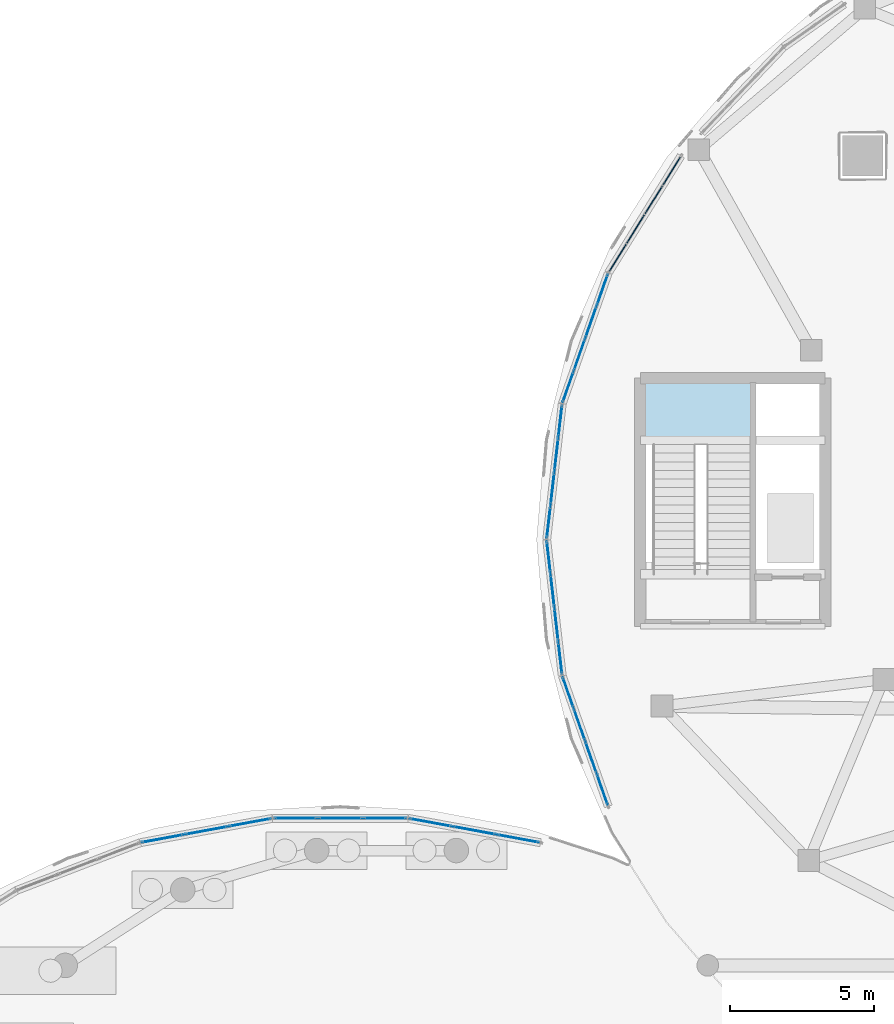
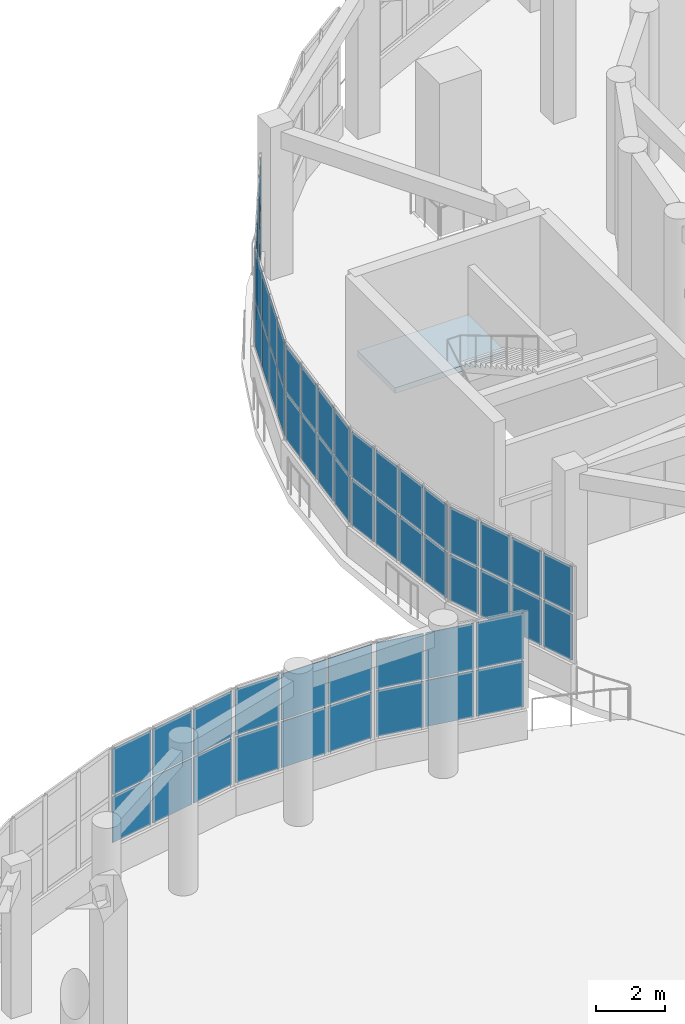
# One storey, part 65 of 96: 58 plates, 1 slab, 9 elements without a shape of their own.
"""IFC4 building model written with IfcOpenShell, lengths in metres."""

from ifc_helpers import new_model, si_unit, direction, frame, origin, origin_2d, place, context, subcontext, project, spatial, polyline, rectangle, outline, extrude, material, layer, layer_set, type_object, element, aggregate, save


model = new_model("IFC4")

# Units and contexts
model_context = context("Model", 3, precision=1e-05, world=origin(), true_north=direction((0.0, 1.0)))
body_context = subcontext(model_context, "Body", "Model", "MODEL_VIEW")
ifc_project = project(units=[si_unit("LENGTHUNIT", "METRE"), si_unit("AREAUNIT", "SQUARE_METRE"), si_unit("VOLUMEUNIT", "CUBIC_METRE"), si_unit("PLANEANGLEUNIT", "RADIAN"), si_unit("MASSUNIT", "GRAM", prefix="KILO")], contexts=[model_context])

# Site, building, storey
site_placement = place(None, origin())
site = spatial("IfcSite", under=ifc_project, at=site_placement, CompositionType="ELEMENT")
building_placement = place(site_placement, origin())
building = spatial("IfcBuilding", under=site, at=building_placement, Name="Pelvatis Terrace Science Centre", CompositionType="ELEMENT")
storey_placement = place(building_placement, origin())
storey = spatial("IfcBuildingStorey", under=building, at=storey_placement, Name="L00", CompositionType="ELEMENT", Elevation=0.0)

# Curtain wall, plates
ifc_material_1 = material(Name="Bronze-anodised aluminium and laminated glass", Category="aluminium")
ifc_layer_1 = layer(ifc_material_1, 0.199951171875)
ifc_layer_set_1 = layer_set([ifc_layer_1], Name="Bronze-anodised aluminium and laminated glass")
curtain_wall_type = type_object("IfcCurtainWallType", Name="CW-RIBBON-B", PredefinedType="NOTDEFINED", material=ifc_layer_set_1)
curtain_wall_1_placement = place(storey_placement, origin())
curtain_wall_1 = element("IfcCurtainWall", 1, at=curtain_wall_1_placement, inside=storey, type_object=curtain_wall_type, Name="Ribbon curtain wall CW-045 (L00)", PredefinedType="NOTDEFINED")
ifc_material_2 = material(Name="Low-e laminated solar-control double glazing", Category="glass")
ifc_layer_2 = layer(ifc_material_2, 0.031982421875)
ifc_layer_set_2 = layer_set([ifc_layer_2], Name="Low-e laminated solar-control double glazing")
plate_type = type_object("IfcPlateType", Name="CWP-IGU-32", PredefinedType="CURTAIN_PANEL", material=ifc_layer_set_2)
plate_1_placement = place(storey_placement, frame((82.556396484375, 71.841796875, 1.0849609375), z_axis=(0.0, 0.0, 1.0), x_axis=(-0.983459114146, 0.181130259216, 0.0)))
plate_1 = element("IfcPlate", 2, at=plate_1_placement, type_object=plate_type, Name="CW-045 panel 1.1", PredefinedType="CURTAIN_PANEL", context=body_context, shape_type="SweptSolid", body=[
    extrude(rectangle(XDim=1.45849609375, YDim=0.031982421875, at=origin_2d()), origin(), (0.0, 0.0, 1.0), 1.62255859375),
])
plate_2_placement = place(storey_placement, frame((82.556396484375, 71.841796875, 2.7724609375), z_axis=(0.0, 0.0, 1.0), x_axis=(-0.983459114146, 0.181130259216, 0.0)))
plate_2 = element("IfcPlate", 3, at=plate_2_placement, type_object=plate_type, Name="CW-045 panel 1.2", PredefinedType="CURTAIN_PANEL", context=body_context, shape_type="SweptSolid", body=[
    extrude(rectangle(XDim=1.45849609375, YDim=0.031982421875, at=origin_2d()), origin(), (0.0, 0.0, 1.0), 1.62255859375),
])
plate_3_placement = place(storey_placement, frame((81.0419921875, 72.120849609375, 1.0849609375), z_axis=(0.0, 0.0, 1.0), x_axis=(-0.983459114146, 0.181130259216, 0.0)))
plate_3 = element("IfcPlate", 4, at=plate_3_placement, type_object=plate_type, Name="CW-045 panel 2.1", PredefinedType="CURTAIN_PANEL", context=body_context, shape_type="SweptSolid", body=[
    extrude(rectangle(XDim=1.490966796875, YDim=0.031982421875, at=origin_2d()), origin(), (0.0, 0.0, 1.0), 1.62255859375),
])
plate_4_placement = place(storey_placement, frame((81.0419921875, 72.120849609375, 2.7724609375), z_axis=(0.0, 0.0, 1.0), x_axis=(-0.983459114146, 0.181130259216, 0.0)))
plate_4 = element("IfcPlate", 5, at=plate_4_placement, type_object=plate_type, Name="CW-045 panel 2.2", PredefinedType="CURTAIN_PANEL", context=body_context, shape_type="SweptSolid", body=[
    extrude(rectangle(XDim=1.490966796875, YDim=0.031982421875, at=origin_2d()), origin(), (0.0, 0.0, 1.0), 1.62255859375),
])
plate_5_placement = place(storey_placement, frame((79.52783203125, 72.399658203125, 1.0849609375), z_axis=(0.0, 0.0, 1.0), x_axis=(-0.983459114146, 0.181130259216, 0.0)))
plate_5 = element("IfcPlate", 6, at=plate_5_placement, type_object=plate_type, Name="CW-045 panel 3.1", PredefinedType="CURTAIN_PANEL", context=body_context, shape_type="SweptSolid", body=[
    extrude(rectangle(XDim=1.45849609375, YDim=0.031982421875, at=origin_2d()), origin(), (0.0, 0.0, 1.0), 1.62255859375),
])
plate_6_placement = place(storey_placement, frame((79.52783203125, 72.399658203125, 2.7724609375), z_axis=(0.0, 0.0, 1.0), x_axis=(-0.983459114146, 0.181130259216, 0.0)))
plate_6 = element("IfcPlate", 7, at=plate_6_placement, type_object=plate_type, Name="CW-045 panel 3.2", PredefinedType="CURTAIN_PANEL", context=body_context, shape_type="SweptSolid", body=[
    extrude(rectangle(XDim=1.45849609375, YDim=0.031982421875, at=origin_2d()), origin(), (0.0, 0.0, 1.0), 1.62255859375),
])
aggregate(curtain_wall_1, [plate_1, plate_2, plate_3, plate_4, plate_5, plate_6])

curtain_wall_2_placement = place(storey_placement, origin())
curtain_wall_2 = element("IfcCurtainWall", 8, at=curtain_wall_2_placement, inside=storey, type_object=curtain_wall_type, Name="Ribbon curtain wall CW-046 (L00)", PredefinedType="NOTDEFINED")
plate_7_placement = place(storey_placement, frame((77.9482421875, 72.54345703125, 1.0849609375), z_axis=(0.0, 0.0, 1.0), x_axis=(-1.0, 0.0, 0.0)))
plate_7 = element("IfcPlate", 9, at=plate_7_placement, type_object=plate_type, Name="CW-046 panel 1.1", PredefinedType="CURTAIN_PANEL", context=body_context, shape_type="SweptSolid", body=[
    extrude(rectangle(XDim=1.467041015625, YDim=0.031982421875, at=origin_2d()), origin(), (0.0, 0.0, 1.0), 1.62255859375),
])
plate_8_placement = place(storey_placement, frame((77.9482421875, 72.54345703125, 2.7724609375), z_axis=(0.0, 0.0, 1.0), x_axis=(-1.0, 0.0, 0.0)))
plate_8 = element("IfcPlate", 10, at=plate_8_placement, type_object=plate_type, Name="CW-046 panel 1.2", PredefinedType="CURTAIN_PANEL", context=body_context, shape_type="SweptSolid", body=[
    extrude(rectangle(XDim=1.467041015625, YDim=0.031982421875, at=origin_2d()), origin(), (0.0, 0.0, 1.0), 1.62255859375),
])
plate_9_placement = place(storey_placement, frame((76.39990234375, 72.54345703125, 1.0849609375), z_axis=(0.0, 0.0, 1.0), x_axis=(-1.0, 0.0, 0.0)))
plate_9 = element("IfcPlate", 11, at=plate_9_placement, type_object=plate_type, Name="CW-046 panel 2.1", PredefinedType="CURTAIN_PANEL", context=body_context, shape_type="SweptSolid", body=[
    extrude(rectangle(XDim=1.49951171875, YDim=0.031982421875, at=origin_2d()), origin(), (0.0, 0.0, 1.0), 1.62255859375),
])
plate_10_placement = place(storey_placement, frame((76.39990234375, 72.54345703125, 2.7724609375), z_axis=(0.0, 0.0, 1.0), x_axis=(-1.0, 0.0, 0.0)))
plate_10 = element("IfcPlate", 12, at=plate_10_placement, type_object=plate_type, Name="CW-046 panel 2.2", PredefinedType="CURTAIN_PANEL", context=body_context, shape_type="SweptSolid", body=[
    extrude(rectangle(XDim=1.49951171875, YDim=0.031982421875, at=origin_2d()), origin(), (0.0, 0.0, 1.0), 1.62255859375),
])
plate_11_placement = place(storey_placement, frame((74.851806640625, 72.54345703125, 1.0849609375), z_axis=(0.0, 0.0, 1.0), x_axis=(-1.0, 0.0, 0.0)))
plate_11 = element("IfcPlate", 13, at=plate_11_placement, type_object=plate_type, Name="CW-046 panel 3.1", PredefinedType="CURTAIN_PANEL", context=body_context, shape_type="SweptSolid", body=[
    extrude(rectangle(XDim=1.467041015625, YDim=0.031982421875, at=origin_2d()), origin(), (0.0, 0.0, 1.0), 1.62255859375),
])
plate_12_placement = place(storey_placement, frame((74.851806640625, 72.54345703125, 2.7724609375), z_axis=(0.0, 0.0, 1.0), x_axis=(-1.0, 0.0, 0.0)))
plate_12 = element("IfcPlate", 14, at=plate_12_placement, type_object=plate_type, Name="CW-046 panel 3.2", PredefinedType="CURTAIN_PANEL", context=body_context, shape_type="SweptSolid", body=[
    extrude(rectangle(XDim=1.467041015625, YDim=0.031982421875, at=origin_2d()), origin(), (0.0, 0.0, 1.0), 1.62255859375),
])
aggregate(curtain_wall_2, [plate_7, plate_8, plate_9, plate_10, plate_11, plate_12])

curtain_wall_3_placement = place(storey_placement, origin())
curtain_wall_3 = element("IfcCurtainWall", 15, at=curtain_wall_3_placement, inside=storey, type_object=curtain_wall_type, Name="Ribbon curtain wall CW-047 (L00)", PredefinedType="NOTDEFINED")
plate_13_placement = place(storey_placement, frame((73.272216796875, 72.399658203125, 1.0849609375), z_axis=(0.0, 0.0, 1.0), x_axis=(-0.983459114146, -0.181130259216, 0.0)))
plate_13 = element("IfcPlate", 16, at=plate_13_placement, type_object=plate_type, Name="CW-047 panel 1.1", PredefinedType="CURTAIN_PANEL", context=body_context, shape_type="SweptSolid", body=[
    extrude(rectangle(XDim=1.45849609375, YDim=0.031982421875, at=origin_2d()), origin(), (0.0, 0.0, 1.0), 1.62255859375),
])
plate_14_placement = place(storey_placement, frame((73.272216796875, 72.399658203125, 2.7724609375), z_axis=(0.0, 0.0, 1.0), x_axis=(-0.983459114146, -0.181130259216, 0.0)))
plate_14 = element("IfcPlate", 17, at=plate_14_placement, type_object=plate_type, Name="CW-047 panel 1.2", PredefinedType="CURTAIN_PANEL", context=body_context, shape_type="SweptSolid", body=[
    extrude(rectangle(XDim=1.45849609375, YDim=0.031982421875, at=origin_2d()), origin(), (0.0, 0.0, 1.0), 1.62255859375),
])
plate_15_placement = place(storey_placement, frame((71.758056640625, 72.120849609375, 1.0849609375), z_axis=(0.0, 0.0, 1.0), x_axis=(-0.983459114146, -0.181130259216, 0.0)))
plate_15 = element("IfcPlate", 18, at=plate_15_placement, type_object=plate_type, Name="CW-047 panel 2.1", PredefinedType="CURTAIN_PANEL", context=body_context, shape_type="SweptSolid", body=[
    extrude(rectangle(XDim=1.490966796875, YDim=0.031982421875, at=origin_2d()), origin(), (0.0, 0.0, 1.0), 1.62255859375),
])
plate_16_placement = place(storey_placement, frame((71.758056640625, 72.120849609375, 2.7724609375), z_axis=(0.0, 0.0, 1.0), x_axis=(-0.983459114146, -0.181130259216, 0.0)))
plate_16 = element("IfcPlate", 19, at=plate_16_placement, type_object=plate_type, Name="CW-047 panel 2.2", PredefinedType="CURTAIN_PANEL", context=body_context, shape_type="SweptSolid", body=[
    extrude(rectangle(XDim=1.490966796875, YDim=0.031982421875, at=origin_2d()), origin(), (0.0, 0.0, 1.0), 1.62255859375),
])
plate_17_placement = place(storey_placement, frame((70.24365234375, 71.841796875, 1.0849609375), z_axis=(0.0, 0.0, 1.0), x_axis=(-0.983459114146, -0.181130259216, 0.0)))
plate_17 = element("IfcPlate", 20, at=plate_17_placement, type_object=plate_type, Name="CW-047 panel 3.1", PredefinedType="CURTAIN_PANEL", context=body_context, shape_type="SweptSolid", body=[
    extrude(rectangle(XDim=1.45849609375, YDim=0.031982421875, at=origin_2d()), origin(), (0.0, 0.0, 1.0), 1.62255859375),
])
plate_18_placement = place(storey_placement, frame((70.24365234375, 71.841796875, 2.7724609375), z_axis=(0.0, 0.0, 1.0), x_axis=(-0.983459114146, -0.181130259216, 0.0)))
plate_18 = element("IfcPlate", 21, at=plate_18_placement, type_object=plate_type, Name="CW-047 panel 3.2", PredefinedType="CURTAIN_PANEL", context=body_context, shape_type="SweptSolid", body=[
    extrude(rectangle(XDim=1.45849609375, YDim=0.031982421875, at=origin_2d()), origin(), (0.0, 0.0, 1.0), 1.62255859375),
])
aggregate(curtain_wall_3, [plate_13, plate_14, plate_15, plate_16, plate_17, plate_18])

curtain_wall_4_placement = place(storey_placement, origin())
curtain_wall_4 = element("IfcCurtainWall", 22, at=curtain_wall_4_placement, inside=storey, type_object=curtain_wall_type, Name="Ribbon curtain wall CW-113 (L00)", PredefinedType="NOTDEFINED")
plate_19_placement = place(storey_placement, frame((87.88330078125, 94.982177734375, 1.0849609375), z_axis=(0.0, 0.0, 1.0), x_axis=(-0.527456576058, -0.849581991554, 0.0)))
plate_19 = element("IfcPlate", 23, at=plate_19_placement, type_object=plate_type, Name="CW-113 panel 1.1", PredefinedType="CURTAIN_PANEL", context=body_context, shape_type="SweptSolid", body=[
    extrude(rectangle(XDim=1.09765625, YDim=0.031982421875, at=origin_2d()), origin(), (0.0, 0.0, 1.0), 1.62255859375),
])
plate_20_placement = place(storey_placement, frame((87.88330078125, 94.982177734375, 2.7724609375), z_axis=(0.0, 0.0, 1.0), x_axis=(-0.527456576058, -0.849581991554, 0.0)))
plate_20 = element("IfcPlate", 24, at=plate_20_placement, type_object=plate_type, Name="CW-113 panel 1.2", PredefinedType="CURTAIN_PANEL", context=body_context, shape_type="SweptSolid", body=[
    extrude(rectangle(XDim=1.09765625, YDim=0.031982421875, at=origin_2d()), origin(), (0.0, 0.0, 1.0), 1.62255859375),
])
plate_21_placement = place(storey_placement, frame((87.26123046875, 93.98046875, 1.0849609375), z_axis=(0.0, 0.0, 1.0), x_axis=(-0.527456576058, -0.849581991554, 0.0)))
plate_21 = element("IfcPlate", 25, at=plate_21_placement, type_object=plate_type, Name="CW-113 panel 2.1", PredefinedType="CURTAIN_PANEL", context=body_context, shape_type="SweptSolid", body=[
    extrude(rectangle(XDim=1.13037109375, YDim=0.031982421875, at=origin_2d()), origin(), (0.0, 0.0, 1.0), 1.62255859375),
])
plate_22_placement = place(storey_placement, frame((87.26123046875, 93.98046875, 2.7724609375), z_axis=(0.0, 0.0, 1.0), x_axis=(-0.527456576058, -0.849581991554, 0.0)))
plate_22 = element("IfcPlate", 26, at=plate_22_placement, type_object=plate_type, Name="CW-113 panel 2.2", PredefinedType="CURTAIN_PANEL", context=body_context, shape_type="SweptSolid", body=[
    extrude(rectangle(XDim=1.13037109375, YDim=0.031982421875, at=origin_2d()), origin(), (0.0, 0.0, 1.0), 1.62255859375),
])
plate_23_placement = place(storey_placement, frame((86.630859375, 92.965087890625, 1.0849609375), z_axis=(0.0, 0.0, 1.0), x_axis=(-0.527456576058, -0.849581991554, 0.0)))
plate_23 = element("IfcPlate", 27, at=plate_23_placement, type_object=plate_type, Name="CW-113 panel 3.1", PredefinedType="CURTAIN_PANEL", context=body_context, shape_type="SweptSolid", body=[
    extrude(rectangle(XDim=1.13037109375, YDim=0.031982421875, at=origin_2d()), origin(), (0.0, 0.0, 1.0), 1.62255859375),
])
plate_24_placement = place(storey_placement, frame((86.630859375, 92.965087890625, 2.7724609375), z_axis=(0.0, 0.0, 1.0), x_axis=(-0.527456576058, -0.849581991554, 0.0)))
plate_24 = element("IfcPlate", 28, at=plate_24_placement, type_object=plate_type, Name="CW-113 panel 3.2", PredefinedType="CURTAIN_PANEL", context=body_context, shape_type="SweptSolid", body=[
    extrude(rectangle(XDim=1.13037109375, YDim=0.031982421875, at=origin_2d()), origin(), (0.0, 0.0, 1.0), 1.62255859375),
])
plate_25_placement = place(storey_placement, frame((86.009033203125, 91.96337890625, 1.0849609375), z_axis=(0.0, 0.0, 1.0), x_axis=(-0.527456576058, -0.849581991554, 0.0)))
plate_25 = element("IfcPlate", 29, at=plate_25_placement, type_object=plate_type, Name="CW-113 panel 4.1", PredefinedType="CURTAIN_PANEL", context=body_context, shape_type="SweptSolid", body=[
    extrude(rectangle(XDim=1.09765625, YDim=0.031982421875, at=origin_2d()), origin(), (0.0, 0.0, 1.0), 1.62255859375),
])
plate_26_placement = place(storey_placement, frame((86.009033203125, 91.96337890625, 2.7724609375), z_axis=(0.0, 0.0, 1.0), x_axis=(-0.527456576058, -0.849581991554, 0.0)))
plate_26 = element("IfcPlate", 30, at=plate_26_placement, type_object=plate_type, Name="CW-113 panel 4.2", PredefinedType="CURTAIN_PANEL", context=body_context, shape_type="SweptSolid", body=[
    extrude(rectangle(XDim=1.09765625, YDim=0.031982421875, at=origin_2d()), origin(), (0.0, 0.0, 1.0), 1.62255859375),
])
aggregate(curtain_wall_4, [plate_19, plate_20, plate_21, plate_22, plate_23, plate_24, plate_25, plate_26])

curtain_wall_5_placement = place(storey_placement, origin())
curtain_wall_5 = element("IfcCurtainWall", 31, at=curtain_wall_5_placement, inside=storey, type_object=curtain_wall_type, Name="Ribbon curtain wall CW-114 (L00)", PredefinedType="NOTDEFINED")
plate_27_placement = place(storey_placement, frame((85.480224609375, 90.860107421875, 1.0849609375), z_axis=(0.0, 0.0, 1.0), x_axis=(-0.332308248738, -0.943170837028, 0.0)))
plate_27 = element("IfcPlate", 32, at=plate_27_placement, type_object=plate_type, Name="CW-114 panel 1.1", PredefinedType="CURTAIN_PANEL", context=body_context, shape_type="SweptSolid", body=[
    extrude(rectangle(XDim=1.103271484375, YDim=0.031982421875, at=origin_2d()), origin(), (0.0, 0.0, 1.0), 1.62255859375),
])
plate_28_placement = place(storey_placement, frame((85.480224609375, 90.860107421875, 2.7724609375), z_axis=(0.0, 0.0, 1.0), x_axis=(-0.332308248738, -0.943170837028, 0.0)))
plate_28 = element("IfcPlate", 33, at=plate_28_placement, type_object=plate_type, Name="CW-114 panel 1.2", PredefinedType="CURTAIN_PANEL", context=body_context, shape_type="SweptSolid", body=[
    extrude(rectangle(XDim=1.103271484375, YDim=0.031982421875, at=origin_2d()), origin(), (0.0, 0.0, 1.0), 1.62255859375),
])
plate_29_placement = place(storey_placement, frame((85.086669921875, 89.742919921875, 1.0849609375), z_axis=(0.0, 0.0, 1.0), x_axis=(-0.332308248738, -0.943170837028, 0.0)))
plate_29 = element("IfcPlate", 34, at=plate_29_placement, type_object=plate_type, Name="CW-114 panel 2.1", PredefinedType="CURTAIN_PANEL", context=body_context, shape_type="SweptSolid", body=[
    extrude(rectangle(XDim=1.1357421875, YDim=0.031982421875, at=origin_2d()), origin(), (0.0, 0.0, 1.0), 1.62255859375),
])
plate_30_placement = place(storey_placement, frame((85.086669921875, 89.742919921875, 2.7724609375), z_axis=(0.0, 0.0, 1.0), x_axis=(-0.332308248738, -0.943170837028, 0.0)))
plate_30 = element("IfcPlate", 35, at=plate_30_placement, type_object=plate_type, Name="CW-114 panel 2.2", PredefinedType="CURTAIN_PANEL", context=body_context, shape_type="SweptSolid", body=[
    extrude(rectangle(XDim=1.1357421875, YDim=0.031982421875, at=origin_2d()), origin(), (0.0, 0.0, 1.0), 1.62255859375),
])
plate_31_placement = place(storey_placement, frame((84.6875, 88.6103515625, 1.0849609375), z_axis=(0.0, 0.0, 1.0), x_axis=(-0.332308248738, -0.943170837028, 0.0)))
plate_31 = element("IfcPlate", 36, at=plate_31_placement, type_object=plate_type, Name="CW-114 panel 3.1", PredefinedType="CURTAIN_PANEL", context=body_context, shape_type="SweptSolid", body=[
    extrude(rectangle(XDim=1.1357421875, YDim=0.031982421875, at=origin_2d()), origin(), (0.0, 0.0, 1.0), 1.62255859375),
])
plate_32_placement = place(storey_placement, frame((84.6875, 88.6103515625, 2.7724609375), z_axis=(0.0, 0.0, 1.0), x_axis=(-0.332308248738, -0.943170837028, 0.0)))
plate_32 = element("IfcPlate", 37, at=plate_32_placement, type_object=plate_type, Name="CW-114 panel 3.2", PredefinedType="CURTAIN_PANEL", context=body_context, shape_type="SweptSolid", body=[
    extrude(rectangle(XDim=1.1357421875, YDim=0.031982421875, at=origin_2d()), origin(), (0.0, 0.0, 1.0), 1.62255859375),
])
plate_33_placement = place(storey_placement, frame((84.2939453125, 87.492919921875, 1.0849609375), z_axis=(0.0, 0.0, 1.0), x_axis=(-0.332308248738, -0.943170837028, 0.0)))
plate_33 = element("IfcPlate", 38, at=plate_33_placement, type_object=plate_type, Name="CW-114 panel 4.1", PredefinedType="CURTAIN_PANEL", context=body_context, shape_type="SweptSolid", body=[
    extrude(rectangle(XDim=1.103271484375, YDim=0.031982421875, at=origin_2d()), origin(), (0.0, 0.0, 1.0), 1.62255859375),
])
plate_34_placement = place(storey_placement, frame((84.2939453125, 87.492919921875, 2.7724609375), z_axis=(0.0, 0.0, 1.0), x_axis=(-0.332308248738, -0.943170837028, 0.0)))
plate_34 = element("IfcPlate", 39, at=plate_34_placement, type_object=plate_type, Name="CW-114 panel 4.2", PredefinedType="CURTAIN_PANEL", context=body_context, shape_type="SweptSolid", body=[
    extrude(rectangle(XDim=1.103271484375, YDim=0.031982421875, at=origin_2d()), origin(), (0.0, 0.0, 1.0), 1.62255859375),
])
aggregate(curtain_wall_5, [plate_27, plate_28, plate_29, plate_30, plate_31, plate_32, plate_33, plate_34])

curtain_wall_6_placement = place(storey_placement, origin())
curtain_wall_6 = element("IfcCurtainWall", 40, at=curtain_wall_6_placement, inside=storey, type_object=curtain_wall_type, Name="Ribbon curtain wall CW-115 (L00)", PredefinedType="NOTDEFINED")
plate_35_placement = place(storey_placement, frame((84.019775390625, 86.306396484375, 1.0849609375), z_axis=(0.0, 0.0, 1.0), x_axis=(-0.113661968763, -0.993519479858, 0.0)))
plate_35 = element("IfcPlate", 41, at=plate_35_placement, type_object=plate_type, Name="CW-115 panel 1.1", PredefinedType="CURTAIN_PANEL", context=body_context, shape_type="SweptSolid", body=[
    extrude(rectangle(XDim=1.088134765625, YDim=0.031982421875, at=origin_2d()), origin(), (0.0, 0.0, 1.0), 1.62255859375),
])
plate_36_placement = place(storey_placement, frame((84.019775390625, 86.306396484375, 2.7724609375), z_axis=(0.0, 0.0, 1.0), x_axis=(-0.113661968763, -0.993519479858, 0.0)))
plate_36 = element("IfcPlate", 42, at=plate_36_placement, type_object=plate_type, Name="CW-115 panel 1.2", PredefinedType="CURTAIN_PANEL", context=body_context, shape_type="SweptSolid", body=[
    extrude(rectangle(XDim=1.088134765625, YDim=0.031982421875, at=origin_2d()), origin(), (0.0, 0.0, 1.0), 1.62255859375),
])
plate_37_placement = place(storey_placement, frame((83.886962890625, 85.14453125, 1.0849609375), z_axis=(0.0, 0.0, 1.0), x_axis=(-0.113661968763, -0.993519479858, 0.0)))
plate_37 = element("IfcPlate", 43, at=plate_37_placement, type_object=plate_type, Name="CW-115 panel 2.1", PredefinedType="CURTAIN_PANEL", context=body_context, shape_type="SweptSolid", body=[
    extrude(rectangle(XDim=1.12060546875, YDim=0.031982421875, at=origin_2d()), origin(), (0.0, 0.0, 1.0), 1.62255859375),
])
plate_38_placement = place(storey_placement, frame((83.886962890625, 85.14453125, 2.7724609375), z_axis=(0.0, 0.0, 1.0), x_axis=(-0.113661968763, -0.993519479858, 0.0)))
plate_38 = element("IfcPlate", 44, at=plate_38_placement, type_object=plate_type, Name="CW-115 panel 2.2", PredefinedType="CURTAIN_PANEL", context=body_context, shape_type="SweptSolid", body=[
    extrude(rectangle(XDim=1.12060546875, YDim=0.031982421875, at=origin_2d()), origin(), (0.0, 0.0, 1.0), 1.62255859375),
])
plate_39_placement = place(storey_placement, frame((83.752197265625, 83.966796875, 1.0849609375), z_axis=(0.0, 0.0, 1.0), x_axis=(-0.113661968763, -0.993519479858, 0.0)))
plate_39 = element("IfcPlate", 45, at=plate_39_placement, type_object=plate_type, Name="CW-115 panel 3.1", PredefinedType="CURTAIN_PANEL", context=body_context, shape_type="SweptSolid", body=[
    extrude(rectangle(XDim=1.12060546875, YDim=0.031982421875, at=origin_2d()), origin(), (0.0, 0.0, 1.0), 1.62255859375),
])
plate_40_placement = place(storey_placement, frame((83.752197265625, 83.966796875, 2.7724609375), z_axis=(0.0, 0.0, 1.0), x_axis=(-0.113661968763, -0.993519479858, 0.0)))
plate_40 = element("IfcPlate", 46, at=plate_40_placement, type_object=plate_type, Name="CW-115 panel 3.2", PredefinedType="CURTAIN_PANEL", context=body_context, shape_type="SweptSolid", body=[
    extrude(rectangle(XDim=1.12060546875, YDim=0.031982421875, at=origin_2d()), origin(), (0.0, 0.0, 1.0), 1.62255859375),
])
plate_41_placement = place(storey_placement, frame((83.619140625, 82.80517578125, 1.0849609375), z_axis=(0.0, 0.0, 1.0), x_axis=(-0.113661968763, -0.993519479858, 0.0)))
plate_41 = element("IfcPlate", 47, at=plate_41_placement, type_object=plate_type, Name="CW-115 panel 4.1", PredefinedType="CURTAIN_PANEL", context=body_context, shape_type="SweptSolid", body=[
    extrude(rectangle(XDim=1.088134765625, YDim=0.031982421875, at=origin_2d()), origin(), (0.0, 0.0, 1.0), 1.62255859375),
])
plate_42_placement = place(storey_placement, frame((83.619140625, 82.80517578125, 2.7724609375), z_axis=(0.0, 0.0, 1.0), x_axis=(-0.113661968763, -0.993519479858, 0.0)))
plate_42 = element("IfcPlate", 48, at=plate_42_placement, type_object=plate_type, Name="CW-115 panel 4.2", PredefinedType="CURTAIN_PANEL", context=body_context, shape_type="SweptSolid", body=[
    extrude(rectangle(XDim=1.088134765625, YDim=0.031982421875, at=origin_2d()), origin(), (0.0, 0.0, 1.0), 1.62255859375),
])
aggregate(curtain_wall_6, [plate_35, plate_36, plate_37, plate_38, plate_39, plate_40, plate_41, plate_42])

curtain_wall_7_placement = place(storey_placement, origin())
curtain_wall_7 = element("IfcCurtainWall", 49, at=curtain_wall_7_placement, inside=storey, type_object=curtain_wall_type, Name="Ribbon curtain wall CW-116 (L00)", PredefinedType="NOTDEFINED")
plate_43_placement = place(storey_placement, frame((83.619140625, 81.594970703125, 1.0849609375), z_axis=(0.0, 0.0, 1.0), x_axis=(0.113661968763, -0.993519479858, 0.0)))
plate_43 = element("IfcPlate", 50, at=plate_43_placement, type_object=plate_type, Name="CW-116 panel 1.1", PredefinedType="CURTAIN_PANEL", context=body_context, shape_type="SweptSolid", body=[
    extrude(rectangle(XDim=1.088134765625, YDim=0.031982421875, at=origin_2d()), origin(), (0.0, 0.0, 1.0), 1.62255859375),
])
plate_44_placement = place(storey_placement, frame((83.619140625, 81.594970703125, 2.7724609375), z_axis=(0.0, 0.0, 1.0), x_axis=(0.113661968763, -0.993519479858, 0.0)))
plate_44 = element("IfcPlate", 51, at=plate_44_placement, type_object=plate_type, Name="CW-116 panel 1.2", PredefinedType="CURTAIN_PANEL", context=body_context, shape_type="SweptSolid", body=[
    extrude(rectangle(XDim=1.088134765625, YDim=0.031982421875, at=origin_2d()), origin(), (0.0, 0.0, 1.0), 1.62255859375),
])
plate_45_placement = place(storey_placement, frame((83.752197265625, 80.43310546875, 1.0849609375), z_axis=(0.0, 0.0, 1.0), x_axis=(0.113661968763, -0.993519479858, 0.0)))
plate_45 = element("IfcPlate", 52, at=plate_45_placement, type_object=plate_type, Name="CW-116 panel 2.1", PredefinedType="CURTAIN_PANEL", context=body_context, shape_type="SweptSolid", body=[
    extrude(rectangle(XDim=1.12060546875, YDim=0.031982421875, at=origin_2d()), origin(), (0.0, 0.0, 1.0), 1.62255859375),
])
plate_46_placement = place(storey_placement, frame((83.752197265625, 80.43310546875, 2.7724609375), z_axis=(0.0, 0.0, 1.0), x_axis=(0.113661968763, -0.993519479858, 0.0)))
plate_46 = element("IfcPlate", 53, at=plate_46_placement, type_object=plate_type, Name="CW-116 panel 2.2", PredefinedType="CURTAIN_PANEL", context=body_context, shape_type="SweptSolid", body=[
    extrude(rectangle(XDim=1.12060546875, YDim=0.031982421875, at=origin_2d()), origin(), (0.0, 0.0, 1.0), 1.62255859375),
])
plate_47_placement = place(storey_placement, frame((83.886962890625, 79.25537109375, 1.0849609375), z_axis=(0.0, 0.0, 1.0), x_axis=(0.113661968763, -0.993519479858, 0.0)))
plate_47 = element("IfcPlate", 54, at=plate_47_placement, type_object=plate_type, Name="CW-116 panel 3.1", PredefinedType="CURTAIN_PANEL", context=body_context, shape_type="SweptSolid", body=[
    extrude(rectangle(XDim=1.12060546875, YDim=0.031982421875, at=origin_2d()), origin(), (0.0, 0.0, 1.0), 1.62255859375),
])
plate_48_placement = place(storey_placement, frame((83.886962890625, 79.25537109375, 2.7724609375), z_axis=(0.0, 0.0, 1.0), x_axis=(0.113661968763, -0.993519479858, 0.0)))
plate_48 = element("IfcPlate", 55, at=plate_48_placement, type_object=plate_type, Name="CW-116 panel 3.2", PredefinedType="CURTAIN_PANEL", context=body_context, shape_type="SweptSolid", body=[
    extrude(rectangle(XDim=1.12060546875, YDim=0.031982421875, at=origin_2d()), origin(), (0.0, 0.0, 1.0), 1.62255859375),
])
plate_49_placement = place(storey_placement, frame((84.019775390625, 78.09375, 1.0849609375), z_axis=(0.0, 0.0, 1.0), x_axis=(0.113661968763, -0.993519479858, 0.0)))
plate_49 = element("IfcPlate", 56, at=plate_49_placement, type_object=plate_type, Name="CW-116 panel 4.1", PredefinedType="CURTAIN_PANEL", context=body_context, shape_type="SweptSolid", body=[
    extrude(rectangle(XDim=1.088134765625, YDim=0.031982421875, at=origin_2d()), origin(), (0.0, 0.0, 1.0), 1.62255859375),
])
plate_50_placement = place(storey_placement, frame((84.019775390625, 78.09375, 2.7724609375), z_axis=(0.0, 0.0, 1.0), x_axis=(0.113661968763, -0.993519479858, 0.0)))
plate_50 = element("IfcPlate", 57, at=plate_50_placement, type_object=plate_type, Name="CW-116 panel 4.2", PredefinedType="CURTAIN_PANEL", context=body_context, shape_type="SweptSolid", body=[
    extrude(rectangle(XDim=1.088134765625, YDim=0.031982421875, at=origin_2d()), origin(), (0.0, 0.0, 1.0), 1.62255859375),
])
aggregate(curtain_wall_7, [plate_43, plate_44, plate_45, plate_46, plate_47, plate_48, plate_49, plate_50])

curtain_wall_8_placement = place(storey_placement, origin())
curtain_wall_8 = element("IfcCurtainWall", 58, at=curtain_wall_8_placement, inside=storey, type_object=curtain_wall_type, Name="Ribbon curtain wall CW-117 (L00)", PredefinedType="NOTDEFINED")
plate_51_placement = place(storey_placement, frame((84.2939453125, 76.906982421875, 1.0849609375), z_axis=(0.0, 0.0, 1.0), x_axis=(0.332308248738, -0.943170837028, 0.0)))
plate_51 = element("IfcPlate", 59, at=plate_51_placement, type_object=plate_type, Name="CW-117 panel 1.1", PredefinedType="CURTAIN_PANEL", context=body_context, shape_type="SweptSolid", body=[
    extrude(rectangle(XDim=1.103271484375, YDim=0.031982421875, at=origin_2d()), origin(), (0.0, 0.0, 1.0), 1.62255859375),
])
plate_52_placement = place(storey_placement, frame((84.2939453125, 76.906982421875, 2.7724609375), z_axis=(0.0, 0.0, 1.0), x_axis=(0.332308248738, -0.943170837028, 0.0)))
plate_52 = element("IfcPlate", 60, at=plate_52_placement, type_object=plate_type, Name="CW-117 panel 1.2", PredefinedType="CURTAIN_PANEL", context=body_context, shape_type="SweptSolid", body=[
    extrude(rectangle(XDim=1.103271484375, YDim=0.031982421875, at=origin_2d()), origin(), (0.0, 0.0, 1.0), 1.62255859375),
])
plate_53_placement = place(storey_placement, frame((84.6875, 75.789794921875, 1.0849609375), z_axis=(0.0, 0.0, 1.0), x_axis=(0.332308248738, -0.943170837028, 0.0)))
plate_53 = element("IfcPlate", 61, at=plate_53_placement, type_object=plate_type, Name="CW-117 panel 2.1", PredefinedType="CURTAIN_PANEL", context=body_context, shape_type="SweptSolid", body=[
    extrude(rectangle(XDim=1.1357421875, YDim=0.031982421875, at=origin_2d()), origin(), (0.0, 0.0, 1.0), 1.62255859375),
])
plate_54_placement = place(storey_placement, frame((84.6875, 75.789794921875, 2.7724609375), z_axis=(0.0, 0.0, 1.0), x_axis=(0.332308248738, -0.943170837028, 0.0)))
plate_54 = element("IfcPlate", 62, at=plate_54_placement, type_object=plate_type, Name="CW-117 panel 2.2", PredefinedType="CURTAIN_PANEL", context=body_context, shape_type="SweptSolid", body=[
    extrude(rectangle(XDim=1.1357421875, YDim=0.031982421875, at=origin_2d()), origin(), (0.0, 0.0, 1.0), 1.62255859375),
])
plate_55_placement = place(storey_placement, frame((85.086669921875, 74.656982421875, 1.0849609375), z_axis=(0.0, 0.0, 1.0), x_axis=(0.332308248738, -0.943170837028, 0.0)))
plate_55 = element("IfcPlate", 63, at=plate_55_placement, type_object=plate_type, Name="CW-117 panel 3.1", PredefinedType="CURTAIN_PANEL", context=body_context, shape_type="SweptSolid", body=[
    extrude(rectangle(XDim=1.1357421875, YDim=0.031982421875, at=origin_2d()), origin(), (0.0, 0.0, 1.0), 1.62255859375),
])
plate_56_placement = place(storey_placement, frame((85.086669921875, 74.656982421875, 2.7724609375), z_axis=(0.0, 0.0, 1.0), x_axis=(0.332308248738, -0.943170837028, 0.0)))
plate_56 = element("IfcPlate", 64, at=plate_56_placement, type_object=plate_type, Name="CW-117 panel 3.2", PredefinedType="CURTAIN_PANEL", context=body_context, shape_type="SweptSolid", body=[
    extrude(rectangle(XDim=1.1357421875, YDim=0.031982421875, at=origin_2d()), origin(), (0.0, 0.0, 1.0), 1.62255859375),
])
plate_57_placement = place(storey_placement, frame((85.480224609375, 73.539794921875, 1.0849609375), z_axis=(0.0, 0.0, 1.0), x_axis=(0.332308248738, -0.943170837028, 0.0)))
plate_57 = element("IfcPlate", 65, at=plate_57_placement, type_object=plate_type, Name="CW-117 panel 4.1", PredefinedType="CURTAIN_PANEL", context=body_context, shape_type="SweptSolid", body=[
    extrude(rectangle(XDim=1.103271484375, YDim=0.031982421875, at=origin_2d()), origin(), (0.0, 0.0, 1.0), 1.62255859375),
])
plate_58_placement = place(storey_placement, frame((85.480224609375, 73.539794921875, 2.7724609375), z_axis=(0.0, 0.0, 1.0), x_axis=(0.332308248738, -0.943170837028, 0.0)))
plate_58 = element("IfcPlate", 66, at=plate_58_placement, type_object=plate_type, Name="CW-117 panel 4.2", PredefinedType="CURTAIN_PANEL", context=body_context, shape_type="SweptSolid", body=[
    extrude(rectangle(XDim=1.103271484375, YDim=0.031982421875, at=origin_2d()), origin(), (0.0, 0.0, 1.0), 1.62255859375),
])
aggregate(curtain_wall_8, [plate_51, plate_52, plate_53, plate_54, plate_55, plate_56, plate_57, plate_58])

# Stair, slab
ifc_material_3 = material(Name="Concrete C35/45", Category="concrete")
stair_type = type_object("IfcStairType", Name="STR-2RUN-1500-54", PredefinedType="TWO_STRAIGHT_RUN_STAIR", material=ifc_material_3)
stair_placement = place(storey_placement, origin())
stair = element("IfcStair", 67, at=stair_placement, inside=storey, type_object=stair_type, Name="Protected core stair ST-01-L00", PredefinedType="TWO_STRAIGHT_RUN_STAIR")
ifc_material_4 = material(Name="Concrete C35/45", Category="concrete")
ifc_layer_3 = layer(ifc_material_4, 0.199951171875)
ifc_layer_set_3 = layer_set([ifc_layer_3], Name="Concrete C35/45")
slab_type = type_object("IfcSlabType", Name="SLB-LND-200", PredefinedType="LANDING", material=ifc_layer_set_3)
slab_placement = place(storey_placement, frame((0.0, 0.0, 2.5)))
slab = element("IfcSlab", 68, at=slab_placement, type_object=slab_type, Name="ST-01-L00 landing 1", PredefinedType="LANDING", context=body_context, shape_type="SweptSolid", body=[
    extrude(outline(polyline([(86.929931640625, 85.5), (90.64990234375, 85.5), (90.64990234375, 87.669921875), (86.929931640625, 87.669921875), (86.929931640625, 85.5)])), origin(), (0.0, 0.0, 1.0), 0.199951171875),
])
aggregate(stair, [slab])

save(model, "model.ifc")
